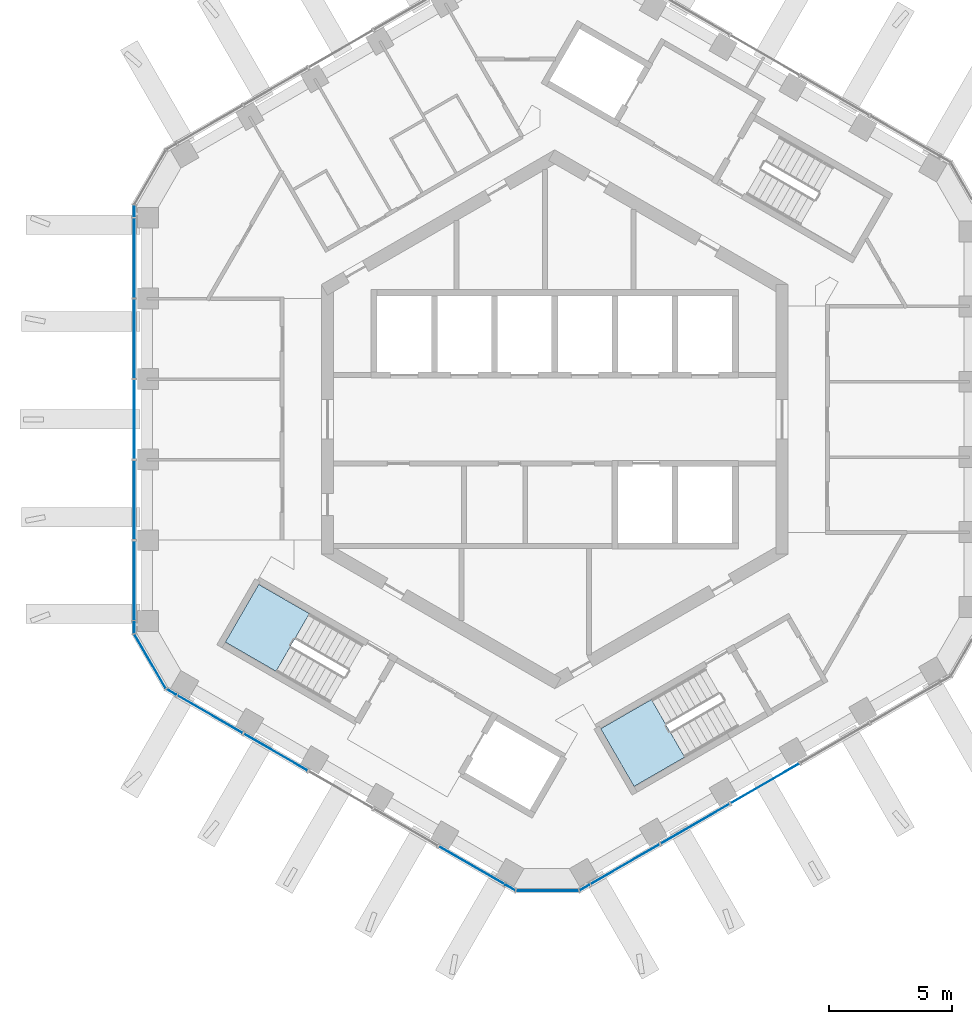
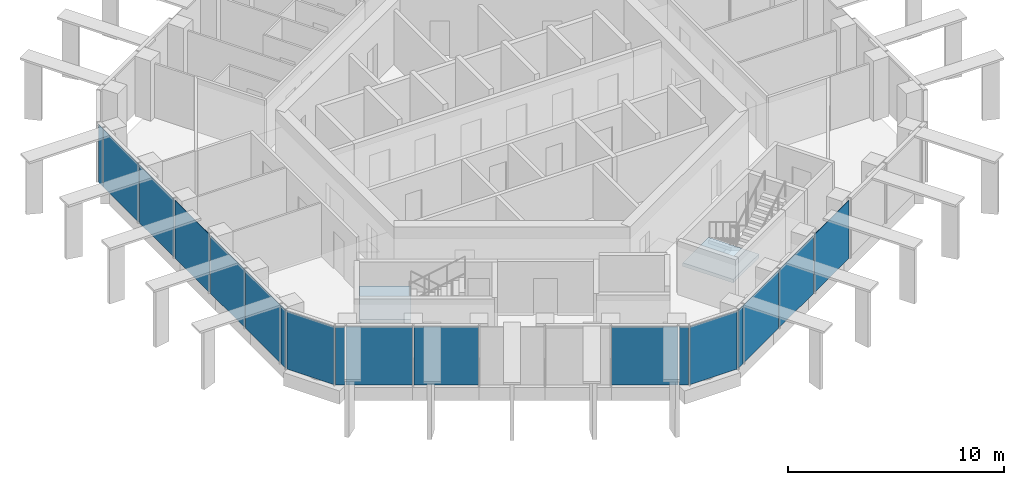
# One storey, part 7 of 19: 18 plates, 2 slabs, 8 elements without a shape of their own.
"""IFC4 building model written with IfcOpenShell, lengths in metres."""

from ifc_helpers import new_model, si_unit, direction, frame, origin, origin_2d, place, context, subcontext, project, spatial, polyline, rectangle, outline, extrude, material, layer, layer_set, type_object, element, aggregate, save


model = new_model("IFC4")

# Units and contexts
model_context = context("Model", 3, precision=1e-05, world=origin(), true_north=direction((0.0, 1.0)))
body_context = subcontext(model_context, "Body", "Model", "MODEL_VIEW")
ifc_project = project(units=[si_unit("LENGTHUNIT", "METRE"), si_unit("AREAUNIT", "SQUARE_METRE"), si_unit("VOLUMEUNIT", "CUBIC_METRE"), si_unit("PLANEANGLEUNIT", "RADIAN"), si_unit("MASSUNIT", "GRAM", prefix="KILO")], contexts=[model_context])

# Site, building, storey
site_placement = place(None, origin())
site = spatial("IfcSite", under=ifc_project, at=site_placement, CompositionType="ELEMENT")
building_placement = place(site_placement, origin())
building = spatial("IfcBuilding", under=site, at=building_placement, Name="Ayvan Gate Tower", CompositionType="ELEMENT")
storey_placement = place(building_placement, frame((0.0, 0.0, 235.89990234375)))
storey = spatial("IfcBuildingStorey", under=building, at=storey_placement, Name="L63", CompositionType="ELEMENT", Elevation=235.89990234375)

# Stair, slab
ifc_material_1 = material(Name="Concrete C40/50", Category="concrete")
stair_type = type_object("IfcStairType", Name="ST-EXIT", PredefinedType="HALF_TURN_STAIR", material=ifc_material_1)
stair_1_placement = place(storey_placement, origin())
stair_1 = element("IfcStair", 1, at=stair_1_placement, inside=storey, type_object=stair_type, Name="L63 Exit Stair S2", PredefinedType="HALF_TURN_STAIR")
ifc_layer_1 = layer(ifc_material_1, 0.199951171875)
ifc_layer_set_1 = layer_set([ifc_layer_1], Name="Concrete C40/50")
slab_type = type_object("IfcSlabType", Name="SL-LANDING-200", PredefinedType="LANDING", material=ifc_layer_set_1)
slab_1_placement = place(storey_placement, frame((0.0, 0.0, 1.5)))
slab_1 = element("IfcSlab", 2, at=slab_1_placement, type_object=slab_type, Name="STS2 landing 1", PredefinedType="LANDING", context=body_context, shape_type="SweptSolid", body=[
    extrude(outline(polyline([(-9.988525390625, -7.91064453125), (-12.049560546875, -6.720458984375), (-13.404541015625, -9.0673828125), (-11.343505859375, -10.257568359375), (-9.988525390625, -7.91064453125)])), origin(), (0.0, 0.0, 1.0), 0.2001953125),
])
aggregate(stair_1, [slab_1])

stair_2_placement = place(storey_placement, origin())
stair_2 = element("IfcStair", 3, at=stair_2_placement, inside=storey, type_object=stair_type, Name="L63 Exit Stair S3", PredefinedType="HALF_TURN_STAIR")
slab_2_placement = place(storey_placement, frame((0.0, 0.0, 1.5)))
slab_2 = element("IfcSlab", 4, at=slab_2_placement, type_object=slab_type, Name="STS3 landing 1", PredefinedType="LANDING", context=body_context, shape_type="SweptSolid", body=[
    extrude(outline(polyline([(3.93505859375, -11.405517578125), (1.873779296875, -12.595458984375), (3.228759765625, -14.9423828125), (5.2900390625, -13.75244140625), (3.93505859375, -11.405517578125)])), origin(), (0.0, 0.0, 1.0), 0.2001953125),
])
aggregate(stair_2, [slab_2])

# Curtain wall, plates
ifc_material_2 = material(Name="Bronze anodised aluminium", Category="aluminium")
ifc_layer_2 = layer(ifc_material_2, 0.199951171875)
ifc_layer_set_2 = layer_set([ifc_layer_2], Name="Bronze anodised aluminium")
curtain_wall_type_1 = type_object("IfcCurtainWallType", Name="Stick curtain wall CW-2", PredefinedType="NOTDEFINED", material=ifc_layer_set_2)
curtain_wall_1_placement = place(storey_placement, origin())
curtain_wall_1 = element("IfcCurtainWall", 5, at=curtain_wall_1_placement, inside=storey, type_object=curtain_wall_type_1, Name="Stick curtain wall CW-2 L63", PredefinedType="NOTDEFINED")
ifc_material_3 = material(Name="Clear low-iron laminated glass", Category="glass")
ifc_layer_3 = layer(ifc_material_3, 0.028076171875)
ifc_layer_set_3 = layer_set([ifc_layer_3], Name="Clear low-iron laminated glass")
plate_type_1 = type_object("IfcPlateType", Name="Stick curtain wall CW-2 glass panel", PredefinedType="CURTAIN_PANEL", material=ifc_layer_set_3)
plate_1_placement = place(storey_placement, frame((-17.11572265625, 6.5908203125, 0.0), z_axis=(0.0, 0.0, 1.0), x_axis=(0.0, -1.0, 0.0)))
plate_1 = element("IfcPlate", 6, at=plate_1_placement, type_object=plate_type_1, Name="CW-2 glass panel 1", PredefinedType="CURTAIN_PANEL", context=body_context, shape_type="SweptSolid", body=[
    extrude(rectangle(XDim=3.264892578125, YDim=0.028076171875, at=origin_2d()), origin(), (0.0, 0.0, 1.0), 3.280029296875),
])
plate_2_placement = place(storey_placement, frame((-17.11572265625, 3.282470703125, 0.0), z_axis=(0.0, 0.0, 1.0), x_axis=(0.0, -1.0, 0.0)))
plate_2 = element("IfcPlate", 7, at=plate_2_placement, type_object=plate_type_1, Name="CW-2 glass panel 2", PredefinedType="CURTAIN_PANEL", context=body_context, shape_type="SweptSolid", body=[
    extrude(rectangle(XDim=3.2119140625, YDim=0.028076171875, at=origin_2d()), origin(), (0.0, 0.0, 1.0), 3.280029296875),
])
plate_3_placement = place(storey_placement, frame((-17.11572265625, 0.0, 0.0), z_axis=(0.0, 0.0, 1.0), x_axis=(0.0, -1.0, 0.0)))
plate_3 = element("IfcPlate", 8, at=plate_3_placement, type_object=plate_type_1, Name="CW-2 glass panel 3", PredefinedType="CURTAIN_PANEL", context=body_context, shape_type="SweptSolid", body=[
    extrude(rectangle(XDim=3.212890625, YDim=0.028076171875, at=origin_2d()), origin(), (0.0, 0.0, 1.0), 3.280029296875),
])
plate_4_placement = place(storey_placement, frame((-17.11572265625, -3.28271484375, 0.0), z_axis=(0.0, 0.0, 1.0), x_axis=(0.0, -1.0, 0.0)))
plate_4 = element("IfcPlate", 9, at=plate_4_placement, type_object=plate_type_1, Name="CW-2 glass panel 4", PredefinedType="CURTAIN_PANEL", context=body_context, shape_type="SweptSolid", body=[
    extrude(rectangle(XDim=3.2119140625, YDim=0.028076171875, at=origin_2d()), origin(), (0.0, 0.0, 1.0), 3.280029296875),
])
plate_5_placement = place(storey_placement, frame((-17.11572265625, -6.591064453125, 0.0), z_axis=(0.0, 0.0, 1.0), x_axis=(0.0, -1.0, 0.0)))
plate_5 = element("IfcPlate", 10, at=plate_5_placement, type_object=plate_type_1, Name="CW-2 glass panel 5", PredefinedType="CURTAIN_PANEL", context=body_context, shape_type="SweptSolid", body=[
    extrude(rectangle(XDim=3.264892578125, YDim=0.028076171875, at=origin_2d()), origin(), (0.0, 0.0, 1.0), 3.280029296875),
])
aggregate(curtain_wall_1, [plate_1, plate_2, plate_3, plate_4, plate_5])

curtain_wall_2_placement = place(storey_placement, origin())
curtain_wall_2 = element("IfcCurtainWall", 11, at=curtain_wall_2_placement, inside=storey, type_object=curtain_wall_type_1, Name="Stick curtain wall CW-2 L63", PredefinedType="NOTDEFINED")
plate_6_placement = place(storey_placement, frame((-14.044677734375, -11.99755859375, 0.0), z_axis=(0.0, 0.0, 1.0), x_axis=(0.866025403784, -0.5, 0.0)))
plate_6 = element("IfcPlate", 12, at=plate_6_placement, type_object=plate_type_1, Name="CW-2 glass panel 1", PredefinedType="CURTAIN_PANEL", context=body_context, shape_type="SweptSolid", body=[
    extrude(rectangle(XDim=3.090087890625, YDim=0.028076171875, at=origin_2d()), origin(), (0.0, 0.0, 1.0), 3.280029296875),
])
plate_7_placement = place(storey_placement, frame((-11.353271484375, -13.551513671875, 0.0), z_axis=(0.0, 0.0, 1.0), x_axis=(0.866025403784, -0.5, 0.0)))
plate_7 = element("IfcPlate", 13, at=plate_7_placement, type_object=plate_type_1, Name="CW-2 glass panel 2", PredefinedType="CURTAIN_PANEL", context=body_context, shape_type="SweptSolid", body=[
    extrude(rectangle(XDim=2.986083984375, YDim=0.028076171875, at=origin_2d()), origin(), (0.0, 0.0, 1.0), 3.280029296875),
])
plate_8_placement = place(storey_placement, frame((-3.36767578125, -18.161865234375, 0.0), z_axis=(0.0, 0.0, 1.0), x_axis=(0.866025403784, -0.5, 0.0)))
plate_8 = element("IfcPlate", 14, at=plate_8_placement, type_object=plate_type_1, Name="CW-2 glass panel 5", PredefinedType="CURTAIN_PANEL", context=body_context, shape_type="SweptSolid", body=[
    extrude(rectangle(XDim=3.08984375, YDim=0.028076171875, at=origin_2d()), origin(), (0.0, 0.0, 1.0), 3.280029296875),
])
aggregate(curtain_wall_2, [plate_6, plate_7, plate_8])

curtain_wall_3_placement = place(storey_placement, origin())
curtain_wall_3 = element("IfcCurtainWall", 15, at=curtain_wall_3_placement, inside=storey, type_object=curtain_wall_type_1, Name="Stick curtain wall CW-2 L63", PredefinedType="NOTDEFINED")
plate_9_placement = place(storey_placement, frame((2.85009765625, -18.1181640625, 0.0), z_axis=(0.0, 0.0, 1.0), x_axis=(0.866025403784, 0.5, 0.0)))
plate_9 = element("IfcPlate", 16, at=plate_9_placement, type_object=plate_type_1, Name="CW-2 glass panel 1", PredefinedType="CURTAIN_PANEL", context=body_context, shape_type="SweptSolid", body=[
    extrude(rectangle(XDim=3.264892578125, YDim=0.028076171875, at=origin_2d()), origin(), (0.0, 0.0, 1.0), 3.280029296875),
])
plate_10_placement = place(storey_placement, frame((5.71533203125, -16.4638671875, 0.0), z_axis=(0.0, 0.0, 1.0), x_axis=(0.866025403784, 0.5, 0.0)))
plate_10 = element("IfcPlate", 17, at=plate_10_placement, type_object=plate_type_1, Name="CW-2 glass panel 2", PredefinedType="CURTAIN_PANEL", context=body_context, shape_type="SweptSolid", body=[
    extrude(rectangle(XDim=3.2119140625, YDim=0.028076171875, at=origin_2d()), origin(), (0.0, 0.0, 1.0), 3.280029296875),
])
plate_11_placement = place(storey_placement, frame((8.557861328125, -14.822509765625, 0.0), z_axis=(0.0, 0.0, 1.0), x_axis=(0.866025403784, 0.5, 0.0)))
plate_11 = element("IfcPlate", 18, at=plate_11_placement, type_object=plate_type_1, Name="CW-2 glass panel 3", PredefinedType="CURTAIN_PANEL", context=body_context, shape_type="SweptSolid", body=[
    extrude(rectangle(XDim=3.212890625, YDim=0.028076171875, at=origin_2d()), origin(), (0.0, 0.0, 1.0), 3.280029296875),
])
aggregate(curtain_wall_3, [plate_9, plate_10, plate_11])

# Curtain wall, plate
ifc_layer_4 = layer(ifc_material_2, 0.199951171875)
ifc_layer_set_4 = layer_set([ifc_layer_4], Name="Bronze anodised aluminium")
curtain_wall_type_2 = type_object("IfcCurtainWallType", Name="Stick curtain wall CW-6", PredefinedType="NOTDEFINED", material=ifc_layer_set_4)
curtain_wall_4_placement = place(storey_placement, origin())
curtain_wall_4 = element("IfcCurtainWall", 19, at=curtain_wall_4_placement, inside=storey, type_object=curtain_wall_type_2, Name="Stick curtain wall CW-6 L63", PredefinedType="NOTDEFINED")
ifc_layer_5 = layer(ifc_material_3, 0.028076171875)
ifc_layer_set_5 = layer_set([ifc_layer_5], Name="Clear low-iron laminated glass")
plate_type_2 = type_object("IfcPlateType", Name="Stick curtain wall CW-6 glass panel", PredefinedType="CURTAIN_PANEL", material=ifc_layer_set_5)
plate_12_placement = place(storey_placement, frame((-17.11572265625, 8.4833984375, 0.0), z_axis=(0.0, 0.0, 1.0), x_axis=(0.0, -1.0, 0.0)))
plate_12 = element("IfcPlate", 20, at=plate_12_placement, type_object=plate_type_2, Name="CW-6 glass panel 3", PredefinedType="CURTAIN_PANEL", context=body_context, shape_type="SweptSolid", body=[
    extrude(rectangle(XDim=0.449951171875, YDim=0.028076171875, at=origin_2d()), origin(), (0.0, 0.0, 1.0), 3.280029296875),
])
aggregate(curtain_wall_4, [plate_12])

# Curtain wall, plates
curtain_wall_5_placement = place(storey_placement, origin())
curtain_wall_5 = element("IfcCurtainWall", 21, at=curtain_wall_5_placement, inside=storey, type_object=curtain_wall_type_2, Name="Stick curtain wall CW-6 L63", PredefinedType="NOTDEFINED")
plate_13_placement = place(storey_placement, frame((-17.11572265625, -8.4833984375, 0.0), z_axis=(0.0, 0.0, 1.0), x_axis=(0.0, -1.0, 0.0)))
plate_13 = element("IfcPlate", 22, at=plate_13_placement, type_object=plate_type_2, Name="CW-6 glass panel 1", PredefinedType="CURTAIN_PANEL", context=body_context, shape_type="SweptSolid", body=[
    extrude(rectangle(XDim=0.449951171875, YDim=0.028076171875, at=origin_2d()), origin(), (0.0, 0.0, 1.0), 3.280029296875),
])
plate_14_placement = place(storey_placement, frame((-16.47021484375, -9.8515625, 0.0), z_axis=(0.0, 0.0, 1.0), x_axis=(0.5, -0.866025403784, 0.0)))
plate_14 = element("IfcPlate", 23, at=plate_14_placement, type_object=plate_type_2, Name="CW-6 glass panel 2", PredefinedType="CURTAIN_PANEL", context=body_context, shape_type="SweptSolid", body=[
    extrude(rectangle(XDim=2.532470703125, YDim=0.028076171875, at=origin_2d()), origin(), (0.0, 0.0, 1.0), 3.280029296875),
])
plate_15_placement = place(storey_placement, frame((-15.60791015625, -11.094970703125, 0.0), z_axis=(0.0, 0.0, 1.0), x_axis=(0.866025403784, -0.5, 0.0)))
plate_15 = element("IfcPlate", 24, at=plate_15_placement, type_object=plate_type_2, Name="CW-6 glass panel 3", PredefinedType="CURTAIN_PANEL", context=body_context, shape_type="SweptSolid", body=[
    extrude(rectangle(XDim=0.449951171875, YDim=0.028076171875, at=origin_2d()), origin(), (0.0, 0.0, 1.0), 3.280029296875),
])
aggregate(curtain_wall_5, [plate_13, plate_14, plate_15])

curtain_wall_6_placement = place(storey_placement, origin())
curtain_wall_6 = element("IfcCurtainWall", 25, at=curtain_wall_6_placement, inside=storey, type_object=curtain_wall_type_2, Name="Stick curtain wall CW-6 L63", PredefinedType="NOTDEFINED")
plate_16_placement = place(storey_placement, frame((-1.804443359375, -19.064453125, 0.0), z_axis=(0.0, 0.0, 1.0), x_axis=(0.866025403784, -0.5, 0.0)))
plate_16 = element("IfcPlate", 26, at=plate_16_placement, type_object=plate_type_2, Name="CW-6 glass panel 1", PredefinedType="CURTAIN_PANEL", context=body_context, shape_type="SweptSolid", body=[
    extrude(rectangle(XDim=0.449951171875, YDim=0.028076171875, at=origin_2d()), origin(), (0.0, 0.0, 1.0), 3.280029296875),
])
plate_17_placement = place(storey_placement, frame((-0.296630859375, -19.189453125, 0.0), z_axis=(0.0, 0.0, 1.0), x_axis=(1.0, 0.0, 0.0)))
plate_17 = element("IfcPlate", 27, at=plate_17_placement, type_object=plate_type_2, Name="CW-6 glass panel 2", PredefinedType="CURTAIN_PANEL", context=body_context, shape_type="SweptSolid", body=[
    extrude(rectangle(XDim=2.532470703125, YDim=0.028076171875, at=origin_2d()), origin(), (0.0, 0.0, 1.0), 3.280029296875),
])
plate_18_placement = place(storey_placement, frame((1.2109375, -19.064453125, 0.0), z_axis=(0.0, 0.0, 1.0), x_axis=(0.866025403784, 0.5, 0.0)))
plate_18 = element("IfcPlate", 28, at=plate_18_placement, type_object=plate_type_2, Name="CW-6 glass panel 3", PredefinedType="CURTAIN_PANEL", context=body_context, shape_type="SweptSolid", body=[
    extrude(rectangle(XDim=0.449951171875, YDim=0.028076171875, at=origin_2d()), origin(), (0.0, 0.0, 1.0), 3.280029296875),
])
aggregate(curtain_wall_6, [plate_16, plate_17, plate_18])

save(model, "model.ifc")
